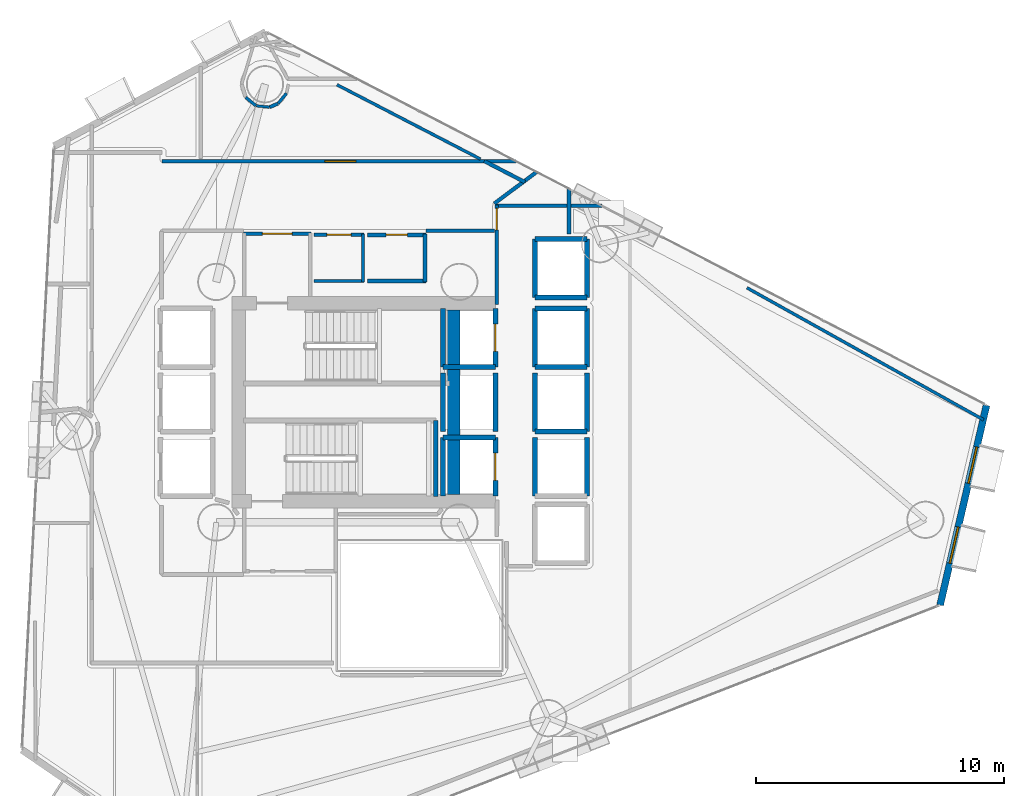
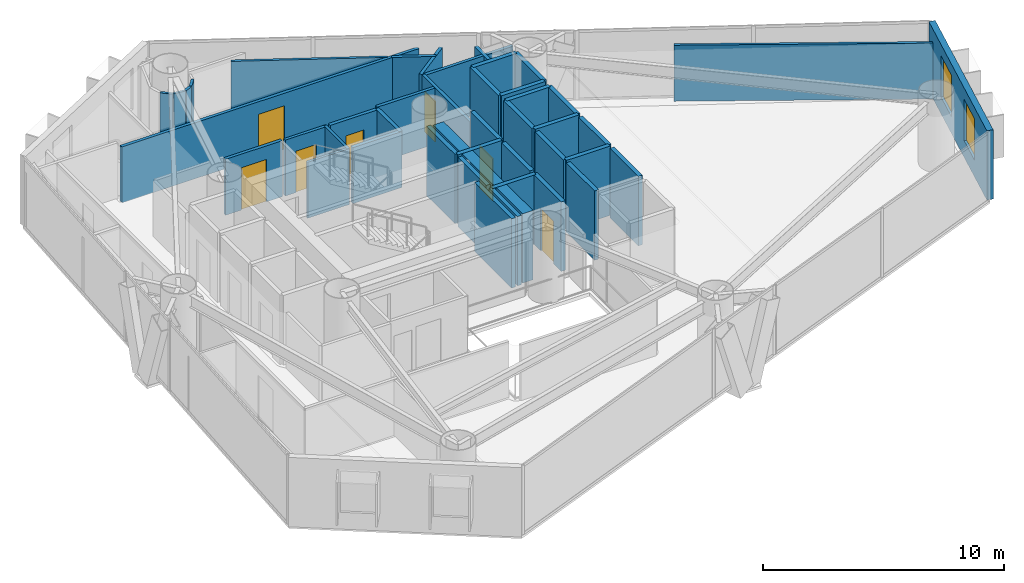
# One storey, part 17 of 21: 44 walls, 7 doors, 2 windows, 9 openings.
"""IFC4 building model written with IfcOpenShell, lengths in metres."""

from ifc_helpers import new_model, si_unit, direction, frame, frame_2d, origin, place, context, subcontext, project, spatial, rectangle, extrude, material, layer, layer_set, type_object, element, fill, save


model = new_model("IFC4")

# Units and contexts
model_context = context("Model", 3, precision=1e-05, world=origin(), true_north=direction((0.0, 1.0)))
body_context = subcontext(model_context, "Body", "Model", "MODEL_VIEW")
ifc_project = project(units=[si_unit("LENGTHUNIT", "METRE"), si_unit("AREAUNIT", "SQUARE_METRE"), si_unit("VOLUMEUNIT", "CUBIC_METRE"), si_unit("PLANEANGLEUNIT", "RADIAN"), si_unit("MASSUNIT", "GRAM", prefix="KILO")], contexts=[model_context])

# Site, building, storey
site_placement = place(None, origin())
site = spatial("IfcSite", under=ifc_project, at=site_placement, CompositionType="ELEMENT")
building_placement = place(site_placement, origin())
building = spatial("IfcBuilding", under=site, at=building_placement, Name="Qianvela Tower", CompositionType="ELEMENT")
storey_placement = place(building_placement, frame((0.0, 0.0, 131.10009765625)))
storey = spatial("IfcBuildingStorey", under=building, at=storey_placement, Name="L33", CompositionType="ELEMENT", Elevation=131.10009765625)

# Wall, openings, windows
ifc_material_1 = material(Name="Terracotta Cladding on Concrete C40", Category="masonry")
ifc_layer_1 = layer(ifc_material_1, 0.280029296875)
ifc_layer_set_1 = layer_set([ifc_layer_1], Name="Terracotta Cladding on Concrete C40")
wall_type_1 = type_object("IfcWallType", Name="TERRACOTTA-WALL-280", PredefinedType="SOLIDWALL", material=ifc_layer_set_1)
wall_1_placement = place(storey_placement, frame((57.78759765625, 20.5166015625, 0.0), z_axis=(0.0, 0.0, 1.0), x_axis=(0.226025211992, 0.974121452153, 0.0)))
wall_1 = element("IfcWall", 1, at=wall_1_placement, inside=storey, type_object=wall_type_1, Name="L33 Terracotta Chamfer Facet Wall 1", PredefinedType="SOLIDWALL", context=body_context, shape_type="SweptSolid", body=[
    extrude(rectangle(XDim=8.27392578125, YDim=0.280029296875, at=frame_2d((4.136962890625, 0.0))), origin(), (0.0, 0.0, 1.0), 3.52001953125),
])
opening_1_placement = place(wall_1_placement, frame((1.732177734375, 0.0, 0.85009765625)))
opening_1 = element("IfcOpeningElement", 2, at=opening_1_placement, cuts=wall_1, Name="Opening W-02", PredefinedType="OPENING", context=body_context, shape_type="SweptSolid", body=[
    extrude(rectangle(XDim=1.5, YDim=2.10009765625, at=frame_2d((0.75, 1.050048828125))), frame((0.0, 0.14990234375, 0.0), z_axis=(0.0, -1.0, 0.0), x_axis=(1.0, 0.0, 0.0)), (0.0, 0.0, 1.0), 0.300048828125),
])
opening_2_placement = place(wall_1_placement, frame((5.041748046875, 0.0, 0.85009765625)))
opening_2 = element("IfcOpeningElement", 3, at=opening_2_placement, cuts=wall_1, Name="Opening W-02", PredefinedType="OPENING", context=body_context, shape_type="SweptSolid", body=[
    extrude(rectangle(XDim=1.5, YDim=2.10009765625, at=frame_2d((0.75, 1.050048828125))), frame((0.0, 0.14990234375, 0.0), z_axis=(0.0, -1.0, 0.0), x_axis=(1.0, 0.0, 0.0)), (0.0, 0.0, 1.0), 0.300048828125),
])
ifc_material_2 = material(Name="Thermally Broken Aluminium and Low-E Glass", Category="aluminium")
window_type = type_object("IfcWindowType", Name="WIN-TC-1500x2100", PartitioningType="DOUBLE_PANEL_VERTICAL", PredefinedType="WINDOW", material=ifc_material_2)
window_1_placement = place(opening_1_placement, origin())
window_1 = element("IfcWindow", 4, at=window_1_placement, inside=storey, type_object=window_type, Name="L33 Chamfer Facet Window 1.1", OverallHeight=2.10009765625, OverallWidth=1.5, PartitioningType="SINGLE_PANEL", PredefinedType="WINDOW", context=body_context, shape_type="SweptSolid", body=[
    extrude(rectangle(XDim=1.5, YDim=2.10009765625, at=frame_2d((0.75, 1.050048828125))), frame((0.0, 0.030029296875, 0.0), z_axis=(0.0, -1.0, 0.0), x_axis=(1.0, 0.0, 0.0)), (0.0, 0.0, 1.0), 0.06005859375),
])
fill(opening_1, window_1)
window_2_placement = place(opening_2_placement, origin())
window_2 = element("IfcWindow", 5, at=window_2_placement, inside=storey, type_object=window_type, Name="L33 Chamfer Facet Window 1.2", OverallHeight=2.10009765625, OverallWidth=1.5, PartitioningType="SINGLE_PANEL", PredefinedType="WINDOW", context=body_context, shape_type="SweptSolid", body=[
    extrude(rectangle(XDim=1.5, YDim=2.10009765625, at=frame_2d((0.75, 1.050048828125))), frame((0.0, 0.030029296875, 0.0), z_axis=(0.0, -1.0, 0.0), x_axis=(1.0, 0.0, 0.0)), (0.0, 0.0, 1.0), 0.06005859375),
])
fill(opening_2, window_2)

# Wall
ifc_material_3 = material(Name="Concrete C60", Category="concrete")
ifc_layer_2 = layer(ifc_material_3, 0.550048828125)
ifc_layer_set_2 = layer_set([ifc_layer_2], Name="Concrete C60")
wall_type_2 = type_object("IfcWallType", Name="WT-CORE-550", PredefinedType="SHEAR", material=ifc_layer_set_2)
wall_2_placement = place(storey_placement, frame((38.179931640625, 24.97998046875, 0.0), z_axis=(0.0, 0.0, 1.0), x_axis=(0.0, 1.0, 0.0)))
element("IfcWall", 6, at=wall_2_placement, inside=storey, type_object=wall_type_2, Name="L33 East Spine Core Shear Wall", PredefinedType="SHEAR", context=body_context, shape_type="SweptSolid", body=[
    extrude(rectangle(XDim=7.43994140625, YDim=0.5, at=frame_2d((3.719970703125, 0.0))), origin(), (0.0, 0.0, 1.0), 3.52001953125),
])

# Wall, opening, door
ifc_material_4 = material(Name="Fire-Rated Acoustic Gypsum Board")
ifc_layer_3 = layer(ifc_material_4, 0.14990234375)
ifc_layer_set_3 = layer_set([ifc_layer_3], Name="Fire-Rated Acoustic Gypsum Board")
wall_type_3 = type_object("IfcWallType", Name="WT-CORR-150", PredefinedType="PARTITIONING", material=ifc_layer_set_3)
wall_3_placement = place(storey_placement, frame((29.699951171875, 35.489013671875, 0.0), z_axis=(0.0, 0.0, 1.0), x_axis=(1.0, 0.0, 0.0)))
wall_3 = element("IfcWall", 7, at=wall_3_placement, inside=storey, type_object=wall_type_3, Name="L33 Partition 3", PredefinedType="PARTITIONING", context=body_context, shape_type="SweptSolid", body=[
    extrude(rectangle(XDim=2.719970703125, YDim=0.14990234375, at=frame_2d((1.35986328125, 0.0))), origin(), (0.0, 0.0, 1.0), 2.83984375),
])
opening_3_placement = place(wall_3_placement, frame((0.760009765625, 0.0, 0.0)))
opening_3 = element("IfcOpeningElement", 8, at=opening_3_placement, cuts=wall_3, Name="Opening D-LB1", PredefinedType="OPENING", context=body_context, shape_type="SweptSolid", body=[
    extrude(rectangle(XDim=1.199951171875, YDim=2.14990234375, at=frame_2d((0.60009765625, 1.074951171875))), frame((0.0, 0.0849609375, 0.0), z_axis=(0.0, -1.0, 0.0), x_axis=(1.0, 0.0, 0.0)), (0.0, 0.0, 1.0), 0.169921875),
])
ifc_material_5 = material(Name="Glazed Fire-Rated Steel Frame", Category="steel")
door_type_1 = type_object("IfcDoorType", Name="DT-LOBBY-FD90", OperationType="NOTDEFINED", PredefinedType="DOOR", material=ifc_material_5)
door_1_placement = place(opening_3_placement, origin())
door_1 = element("IfcDoor", 9, at=door_1_placement, inside=storey, type_object=door_type_1, Name="L33 Door L33 Firefighting Lobby North to L33 Floor Corridor", OperationType="SINGLE_SWING_LEFT", OverallHeight=2.14990234375, OverallWidth=1.199951171875, PredefinedType="DOOR", context=body_context, shape_type="SweptSolid", body=[
    extrude(rectangle(XDim=1.199951171875, YDim=2.14990234375, at=frame_2d((0.60009765625, 1.074951171875))), frame((0.0, 0.02490234375, 0.0), z_axis=(0.0, -1.0, 0.0), x_axis=(1.0, 0.0, 0.0)), (0.0, 0.0, 1.0), 0.050048828125),
])
fill(opening_3, door_1)

wall_4_placement = place(storey_placement, frame((39.910888671875, 32.639892578125, 0.0), z_axis=(0.0, 0.0, 1.0), x_axis=(0.0, 1.0, 0.0)))
wall_4 = element("IfcWall", 10, at=wall_4_placement, inside=storey, type_object=wall_type_3, Name="L33 Partition 10", PredefinedType="PARTITIONING", context=body_context, shape_type="SweptSolid", body=[
    extrude(rectangle(XDim=4.010009765625, YDim=0.14990234375, at=frame_2d((2.0048828125, 0.0))), origin(), (0.0, 0.0, 1.0), 2.83984375),
])
opening_4_placement = place(wall_4_placement, frame((3.010009765625, 0.0, 0.0)))
opening_4 = element("IfcOpeningElement", 11, at=opening_4_placement, cuts=wall_4, Name="Opening D-LB2", PredefinedType="OPENING", context=body_context, shape_type="SweptSolid", body=[
    extrude(rectangle(XDim=0.860107421875, YDim=2.050048828125, at=frame_2d((0.43017578125, 1.02490234375))), frame((0.0, 0.0849609375, 0.0), z_axis=(0.0, -1.0, 0.0), x_axis=(1.0, 0.0, 0.0)), (0.0, 0.0, 1.0), 0.169921875),
])
ifc_material_6 = material(Name="Insulated Steel Fire Door Q355B", Category="steel")
door_type_2 = type_object("IfcDoorType", Name="DT-LOBBY-FD90-860", OperationType="NOTDEFINED", PredefinedType="DOOR", material=ifc_material_6)
door_2_placement = place(opening_4_placement, origin())
door_2 = element("IfcDoor", 12, at=door_2_placement, inside=storey, type_object=door_type_2, Name="L33 Door L33 Lift Lobby to L33 Floor Corridor", OperationType="SINGLE_SWING_LEFT", OverallHeight=2.050048828125, OverallWidth=0.860107421875, PredefinedType="DOOR", context=body_context, shape_type="SweptSolid", body=[
    extrude(rectangle(XDim=0.860107421875, YDim=2.050048828125, at=frame_2d((0.43017578125, 1.02490234375))), frame((0.0, 0.02490234375, 0.0), z_axis=(0.0, -1.0, 0.0), x_axis=(1.0, 0.0, 0.0)), (0.0, 0.0, 1.0), 0.050048828125),
])
fill(opening_4, door_2)

# Walls
wall_5_placement = place(storey_placement, frame((39.8798828125, 36.618896484375, 0.0), z_axis=(0.0, 0.0, 1.0), x_axis=(1.0, 0.0, 0.0)))
element("IfcWall", 13, at=wall_5_placement, inside=storey, type_object=wall_type_3, Name="L33 Partition 11", PredefinedType="PARTITIONING", context=body_context, shape_type="SweptSolid", body=[
    extrude(rectangle(XDim=4.277587890625, YDim=0.14990234375, at=frame_2d((2.138671875, 0.0))), origin(), (0.0, 0.0, 1.0), 2.83984375),
])
wall_6_placement = place(storey_placement, frame((42.819091796875, 37.322265625, 0.0), z_axis=(0.0, 0.0, 1.0), x_axis=(0.0, -1.0, 0.0)))
element("IfcWall", 14, at=wall_6_placement, inside=storey, type_object=wall_type_3, Name="L33 Partition 12", PredefinedType="PARTITIONING", context=body_context, shape_type="SweptSolid", body=[
    extrude(rectangle(XDim=1.84228515625, YDim=0.14990234375, at=frame_2d((0.921142578125, 0.0))), origin(), (0.0, 0.0, 1.0), 2.83984375),
])

# Wall, opening, door
wall_7_placement = place(storey_placement, frame((26.419921875, 38.4189453125, 0.0), z_axis=(0.0, 0.0, 1.0), x_axis=(1.0, 0.0, 0.0)))
wall_7 = element("IfcWall", 15, at=wall_7_placement, inside=storey, type_object=wall_type_3, Name="L33 Partition 42", PredefinedType="PARTITIONING", context=body_context, shape_type="SweptSolid", body=[
    extrude(rectangle(XDim=14.263916015625, YDim=0.14990234375, at=frame_2d((7.1318359375, 0.0))), origin(), (0.0, 0.0, 1.0), 2.83984375),
])
opening_5_placement = place(wall_7_placement, frame((6.55859375, 0.0, 0.0)))
opening_5 = element("IfcOpeningElement", 16, at=opening_5_placement, cuts=wall_7, Name="Opening D-LG1", PredefinedType="OPENING", context=body_context, shape_type="SweptSolid", body=[
    extrude(rectangle(XDim=1.25, YDim=2.199951171875, at=frame_2d((0.625, 1.10009765625))), frame((0.0, 0.0849609375, 0.0), z_axis=(0.0, -1.0, 0.0), x_axis=(1.0, 0.0, 0.0)), (0.0, 0.0, 1.0), 0.169921875),
])
ifc_material_7 = material(Name="Anodised Aluminium Acoustic Glass Door", Category="aluminium")
door_type_3 = type_object("IfcDoorType", Name="DT-LOUNGE-1250", OperationType="NOTDEFINED", PredefinedType="DOOR", material=ifc_material_7)
door_3_placement = place(opening_5_placement, origin())
door_3 = element("IfcDoor", 17, at=door_3_placement, inside=storey, type_object=door_type_3, Name="L33 Door Social Sitting Lounge L33-03 to L33 Floor Corridor", OperationType="SINGLE_SWING_LEFT", OverallHeight=2.199951171875, OverallWidth=1.25, PredefinedType="DOOR", context=body_context, shape_type="SweptSolid", body=[
    extrude(rectangle(XDim=1.25, YDim=2.199951171875, at=frame_2d((0.625, 1.10009765625))), frame((0.0, 0.02490234375, 0.0), z_axis=(0.0, -1.0, 0.0), x_axis=(1.0, 0.0, 0.0)), (0.0, 0.0, 1.0), 0.050048828125),
])
fill(opening_5, door_3)

# Walls
wall_8_placement = place(storey_placement, frame((39.4052734375, 38.422607421875, 0.0), z_axis=(0.0, 0.0, 1.0), x_axis=(0.887824590753, -0.460182024915, 0.0)))
element("IfcWall", 18, at=wall_8_placement, inside=storey, type_object=wall_type_3, Name="L33 Partition 43", PredefinedType="PARTITIONING", context=body_context, shape_type="SweptSolid", body=[
    extrude(rectangle(XDim=1.845703125, YDim=0.14990234375, at=frame_2d((0.9228515625, 0.0))), origin(), (0.0, 0.0, 1.0), 2.83984375),
])
wall_9_placement = place(storey_placement, frame((41.529296875, 37.99072265625, 0.0), z_axis=(0.0, 0.0, 1.0), x_axis=(-0.801813304709, -0.597574618262, 0.0)))
element("IfcWall", 19, at=wall_9_placement, inside=storey, type_object=wall_type_3, Name="L33 Partition 44", PredefinedType="PARTITIONING", context=body_context, shape_type="SweptSolid", body=[
    extrude(rectangle(XDim=2.14453125, YDim=0.14990234375, at=frame_2d((1.072265625, 0.0))), origin(), (0.0, 0.0, 1.0), 2.83984375),
])
wall_10_placement = place(storey_placement, frame((39.818115234375, 35.611083984375, 0.0), z_axis=(0.0, 0.0, 1.0), x_axis=(-1.0, 0.0, 0.0)))
element("IfcWall", 20, at=wall_10_placement, inside=storey, type_object=wall_type_3, Name="L33 Partition 46 seg 1", PredefinedType="PARTITIONING", context=body_context, shape_type="SweptSolid", body=[
    extrude(rectangle(XDim=2.76806640625, YDim=0.14990234375, at=frame_2d((1.384033203125, 0.0))), origin(), (0.0, 0.0, 1.0), 2.83984375),
])
ifc_material_8 = material(Name="Lightweight Gypsum Room Partition")
ifc_layer_4 = layer(ifc_material_8, 0.10498046875)
ifc_layer_set_4 = layer_set([ifc_layer_4], Name="Lightweight Gypsum Room Partition")
wall_type_4 = type_object("IfcWallType", Name="WT-PART-105", PredefinedType="PARTITIONING", material=ifc_layer_set_4)
wall_11_placement = place(storey_placement, frame((30.212646484375, 40.6494140625, 0.0), z_axis=(0.0, 0.0, 1.0), x_axis=(0.995191506225, -0.09794828195, 0.0)))
element("IfcWall", 21, at=wall_11_placement, inside=storey, type_object=wall_type_4, Name="L33 Partition 88", PredefinedType="PARTITIONING", context=body_context, shape_type="SweptSolid", body=[
    extrude(rectangle(XDim=0.5283203125, YDim=0.10498046875, at=frame_2d((0.26416015625, 0.0))), origin(), (0.0, 0.0, 1.0), 2.83984375),
])
ifc_material_9 = material(Name="Insulated Gypsum Stud Partition")
ifc_layer_5 = layer(ifc_material_9, 0.1201171875)
ifc_layer_set_5 = layer_set([ifc_layer_5], Name="Insulated Gypsum Stud Partition")
wall_type_5 = type_object("IfcWallType", Name="WT-PART-120", PredefinedType="PARTITIONING", material=ifc_layer_set_5)
wall_12_placement = place(storey_placement, frame((34.550048828125, 33.5810546875, 0.0), z_axis=(0.0, 0.0, 1.0), x_axis=(-1.0, 0.0, 0.0)))
element("IfcWall", 22, at=wall_12_placement, inside=storey, type_object=wall_type_5, Name="L33 Partition 18", PredefinedType="PARTITIONING", context=body_context, shape_type="SweptSolid", body=[
    extrude(rectangle(XDim=2.0, YDim=0.1201171875, at=frame_2d((1.0, 0.0))), origin(), (0.0, 0.0, 1.0), 2.83984375),
])
wall_13_placement = place(storey_placement, frame((34.51904296875, 35.47998046875, 0.0), z_axis=(0.0, 0.0, 1.0), x_axis=(0.0, -1.0, 0.0)))
element("IfcWall", 23, at=wall_13_placement, inside=storey, type_object=wall_type_5, Name="L33 Partition 21", PredefinedType="PARTITIONING", context=body_context, shape_type="SweptSolid", body=[
    extrude(rectangle(XDim=1.929931640625, YDim=0.1201171875, at=frame_2d((0.96484375, 0.0))), origin(), (0.0, 0.0, 1.0), 2.83984375),
])
wall_14_placement = place(storey_placement, frame((49.997802734375, 33.31201171875, 0.0), z_axis=(0.0, 0.0, 1.0), x_axis=(0.873303372474, -0.487176784777, 0.0)))
element("IfcWall", 24, at=wall_14_placement, inside=storey, type_object=wall_type_5, Name="L33 Partition 72 seg 1", PredefinedType="PARTITIONING", context=body_context, shape_type="SweptSolid", body=[
    extrude(rectangle(XDim=10.927734375, YDim=0.1201171875, at=frame_2d((5.4638671875, 0.0))), origin(), (0.0, 0.0, 1.0), 2.83984375),
])
for number, where, z_axis, x_axis, name in (
    (25, (29.78759765625, 40.991455078125, 0.0), (0.0, 0.0, 1.0), (0.773009460249, -0.634394494275, 0.0), "L33 Partition 87"),
    (26, (31.093505859375, 40.74462890625, 0.0), (0.0, 0.0, 1.0), (0.634394494275, 0.773009460249, 0.0), "L33 Partition 90"),
):
    element("IfcWall", number, at=place(storey_placement, frame(where, z_axis=z_axis, x_axis=x_axis)), inside=storey, type_object=wall_type_5, Name=name, PredefinedType="PARTITIONING", context=body_context, shape_type="SweptSolid", body=[
        extrude(rectangle(XDim=0.5283203125, YDim=0.1201171875, at=frame_2d((0.26416015625, 0.0))), origin(), (0.0, 0.0, 1.0), 2.83984375),
    ])
wall_15_placement = place(storey_placement, frame((33.46728515625, 41.49951171875, 0.0), z_axis=(0.0, 0.0, 1.0), x_axis=(0.887864555566, -0.460104913003, 0.0)))
element("IfcWall", 27, at=wall_15_placement, inside=storey, type_object=wall_type_5, Name="L33 Partition 93", PredefinedType="PARTITIONING", context=body_context, shape_type="SweptSolid", body=[
    extrude(rectangle(XDim=6.513916015625, YDim=0.1201171875, at=frame_2d((3.2568359375, 0.0))), origin(), (0.0, 0.0, 1.0), 2.83984375),
])
ifc_material_10 = material(Name="Sanitary Service Chase Partition")
ifc_layer_6 = layer(ifc_material_10, 0.1650390625)
ifc_layer_set_6 = layer_set([ifc_layer_6], Name="Sanitary Service Chase Partition")
wall_type_6 = type_object("IfcWallType", Name="WT-PLUMB-165", PredefinedType="PLUMBINGWALL", material=ifc_layer_set_6)
wall_16_placement = place(storey_placement, frame((37.050048828125, 33.5810546875, 0.0), z_axis=(0.0, 0.0, 1.0), x_axis=(-1.0, 0.0, 0.0)))
element("IfcWall", 28, at=wall_16_placement, inside=storey, type_object=wall_type_6, Name="L33 Partition 22", PredefinedType="PLUMBINGWALL", context=body_context, shape_type="SweptSolid", body=[
    extrude(rectangle(XDim=2.35009765625, YDim=0.1650390625, at=frame_2d((1.175048828125, 0.0))), origin(), (0.0, 0.0, 1.0), 2.83984375),
])

# Wall, opening, door
wall_17_placement = place(storey_placement, frame((34.699951171875, 35.448974609375, 0.0), z_axis=(0.0, 0.0, 1.0), x_axis=(1.0, 0.0, 0.0)))
wall_17 = element("IfcWall", 29, at=wall_17_placement, inside=storey, type_object=wall_type_6, Name="L33 Partition 24", PredefinedType="PLUMBINGWALL", context=body_context, shape_type="SweptSolid", body=[
    extrude(rectangle(XDim=2.35009765625, YDim=0.1650390625, at=frame_2d((1.175048828125, 0.0))), origin(), (0.0, 0.0, 1.0), 2.83984375),
])
opening_6_placement = place(wall_17_placement, frame((0.7451171875, 0.0, 0.0)))
opening_6 = element("IfcOpeningElement", 30, at=opening_6_placement, cuts=wall_17, Name="Opening D-WC1", PredefinedType="OPENING", context=body_context, shape_type="SweptSolid", body=[
    extrude(rectangle(XDim=0.860107421875, YDim=2.050048828125, at=frame_2d((0.43017578125, 1.02490234375))), frame((0.0, 0.092529296875, 0.0), z_axis=(0.0, -1.0, 0.0), x_axis=(1.0, 0.0, 0.0)), (0.0, 0.0, 1.0), 0.18505859375),
])
ifc_material_11 = material(Name="Moisture-Sealed Acoustic Timber Door", Category="wood")
door_type_4 = type_object("IfcDoorType", Name="DT-WC-860", OperationType="NOTDEFINED", PredefinedType="DOOR", material=ifc_material_11)
door_4_placement = place(opening_6_placement, origin())
door_4 = element("IfcDoor", 31, at=door_4_placement, inside=storey, type_object=door_type_4, Name="L33 Door L33 Accessible WC to L33 Floor Corridor", OperationType="SINGLE_SWING_LEFT", OverallHeight=2.050048828125, OverallWidth=0.860107421875, PredefinedType="DOOR", context=body_context, shape_type="SweptSolid", body=[
    extrude(rectangle(XDim=0.860107421875, YDim=2.050048828125, at=frame_2d((0.43017578125, 1.02490234375))), frame((0.0, 0.02490234375, 0.0), z_axis=(0.0, -1.0, 0.0), x_axis=(1.0, 0.0, 0.0)), (0.0, 0.0, 1.0), 0.050048828125),
])
fill(opening_6, door_4)

# Wall
wall_18_placement = place(storey_placement, frame((37.01904296875, 35.47998046875, 0.0), z_axis=(0.0, 0.0, 1.0), x_axis=(0.0, -1.0, 0.0)))
element("IfcWall", 32, at=wall_18_placement, inside=storey, type_object=wall_type_6, Name="L33 Partition 25", PredefinedType="PLUMBINGWALL", context=body_context, shape_type="SweptSolid", body=[
    extrude(rectangle(XDim=1.929931640625, YDim=0.1650390625, at=frame_2d((0.96484375, 0.0))), origin(), (0.0, 0.0, 1.0), 2.83984375),
])

# Wall, opening, door
ifc_material_12 = material(Name="Acoustic Double Gypsum Stud Partition")
ifc_layer_7 = layer(ifc_material_12, 0.139892578125)
ifc_layer_set_7 = layer_set([ifc_layer_7], Name="Acoustic Double Gypsum Stud Partition")
wall_type_7 = type_object("IfcWallType", Name="WT-ROOM-140", PredefinedType="PARTITIONING", material=ifc_layer_set_7)
wall_19_placement = place(storey_placement, frame((32.550048828125, 35.448974609375, 0.0), z_axis=(0.0, 0.0, 1.0), x_axis=(1.0, 0.0, 0.0)))
wall_19 = element("IfcWall", 33, at=wall_19_placement, inside=storey, type_object=wall_type_7, Name="L33 Partition 20", PredefinedType="PARTITIONING", context=body_context, shape_type="SweptSolid", body=[
    extrude(rectangle(XDim=2.0, YDim=0.139892578125, at=frame_2d((1.0, 0.0))), origin(), (0.0, 0.0, 1.0), 2.83984375),
])
opening_7_placement = place(wall_19_placement, frame((0.510009765625, 0.0, 0.0)))
opening_7 = element("IfcOpeningElement", 34, at=opening_7_placement, cuts=wall_19, Name="Opening D-RM1", PredefinedType="OPENING", context=body_context, shape_type="SweptSolid", body=[
    extrude(rectangle(XDim=0.97998046875, YDim=2.10009765625, at=frame_2d((0.489990234375, 1.050048828125))), frame((0.0, 0.079833984375, 0.0), z_axis=(0.0, -1.0, 0.0), x_axis=(1.0, 0.0, 0.0)), (0.0, 0.0, 1.0), 0.159912109375),
])
ifc_material_13 = material(Name="Solid Core Acoustic Timber Fire Door", Category="wood")
door_type_5 = type_object("IfcDoorType", Name="DT-ROOM-FD60", OperationType="NOTDEFINED", PredefinedType="DOOR", material=ifc_material_13)
door_5_placement = place(opening_7_placement, origin())
door_5 = element("IfcDoor", 35, at=door_5_placement, inside=storey, type_object=door_type_5, Name="L33 Door L33 Cleaner Store to L33 Floor Corridor", OperationType="SINGLE_SWING_RIGHT", OverallHeight=2.10009765625, OverallWidth=0.97998046875, PredefinedType="DOOR", context=body_context, shape_type="SweptSolid", body=[
    extrude(rectangle(XDim=0.97998046875, YDim=2.10009765625, at=frame_2d((0.489990234375, 1.050048828125))), frame((0.0, 0.02490234375, 0.0), z_axis=(0.0, -1.0, 0.0), x_axis=(1.0, 0.0, 0.0)), (0.0, 0.0, 1.0), 0.050048828125),
])
fill(opening_7, door_5)

# Walls
wall_20_placement = place(storey_placement, frame((30.75341796875, 40.599853515625, 0.0), z_axis=(0.0, 0.0, 1.0), x_axis=(0.923949766891, 0.382513827544, 0.0)))
element("IfcWall", 36, at=wall_20_placement, inside=storey, type_object=wall_type_7, Name="L33 Partition 89", PredefinedType="PARTITIONING", context=body_context, shape_type="SweptSolid", body=[
    extrude(rectangle(XDim=0.35498046875, YDim=0.139892578125, at=frame_2d((0.177490234375, 0.0))), origin(), (0.0, 0.0, 1.0), 2.83984375),
])
ifc_material_14 = material(Name="Concrete C50", Category="concrete")
ifc_layer_8 = layer(ifc_material_14, 0.199951171875)
ifc_layer_set_8 = layer_set([ifc_layer_8], Name="Concrete C50")
wall_type_8 = type_object("IfcWallType", Name="WT-SHAFT-200", PredefinedType="SOLIDWALL", material=ifc_layer_set_8)
wall_21_placement = place(storey_placement, frame((37.449951171875, 24.89990234375, 0.0), z_axis=(0.0, 0.0, 1.0), x_axis=(0.0, 1.0, 0.0)))
element("IfcWall", 37, at=wall_21_placement, inside=storey, type_object=wall_type_8, Name="L33 Stair ST-2 East Wall", PredefinedType="SOLIDWALL", context=body_context, shape_type="SweptSolid", body=[
    extrude(rectangle(XDim=3.06005859375, YDim=0.199951171875, at=frame_2d((1.530029296875, 0.0))), origin(), (0.0, 0.0, 1.0), 3.52001953125),
])

# Wall, opening, door
wall_22_placement = place(storey_placement, frame((39.85009765625, 30.1201171875, 0.0), z_axis=(0.0, 0.0, 1.0), x_axis=(0.0, 1.0, 0.0)))
wall_22 = element("IfcWall", 38, at=wall_22_placement, inside=storey, type_object=wall_type_8, Name="L33 Lift FL-1 E Shaft Wall", PredefinedType="SOLIDWALL", context=body_context, shape_type="SweptSolid", body=[
    extrude(rectangle(XDim=2.35986328125, YDim=0.199951171875, at=frame_2d((1.179931640625, 0.0))), origin(), (0.0, 0.0, 1.0), 3.52001953125),
])
opening_8_placement = place(wall_22_placement, frame((0.6298828125, 0.0, 0.0)))
opening_8 = element("IfcOpeningElement", 39, at=opening_8_placement, cuts=wall_22, Name="Opening LD-01", PredefinedType="OPENING", context=body_context, shape_type="SweptSolid", body=[
    extrude(rectangle(XDim=1.10009765625, YDim=2.14990234375, at=frame_2d((0.550048828125, 1.074951171875))), frame((0.0, 0.10986328125, 0.0), z_axis=(0.0, -1.0, 0.0), x_axis=(1.0, 0.0, 0.0)), (0.0, 0.0, 1.0), 0.219970703125),
])
ifc_material_15 = material(Name="Brushed Stainless Steel Lift Landing Door", Category="steel")
door_type_6 = type_object("IfcDoorType", Name="DT-LIFT-SLIDE-1100", OperationType="SLIDING_TO_LEFT", PredefinedType="DOOR", material=ifc_material_15)
door_6_placement = place(opening_8_placement, origin())
door_6 = element("IfcDoor", 40, at=door_6_placement, inside=storey, type_object=door_type_6, Name="L33 Lift FL-1 Sliding Landing Door", OperationType="SLIDING_TO_LEFT", OverallHeight=2.14990234375, OverallWidth=1.10009765625, PredefinedType="DOOR", context=body_context, shape_type="SweptSolid", body=[
    extrude(rectangle(XDim=1.10009765625, YDim=2.14990234375, at=frame_2d((0.550048828125, 1.074951171875))), frame((0.0, 0.02490234375, 0.0), z_axis=(0.0, -1.0, 0.0), x_axis=(1.0, 0.0, 0.0)), (0.0, 0.0, 1.0), 0.050048828125),
])
fill(opening_8, door_6)

# Walls
wall_23_placement = place(storey_placement, frame((37.75, 30.1201171875, 0.0), z_axis=(0.0, 0.0, 1.0), x_axis=(0.0, 1.0, 0.0)))
element("IfcWall", 41, at=wall_23_placement, inside=storey, type_object=wall_type_8, Name="L33 Lift FL-1 W Shaft Wall", PredefinedType="SOLIDWALL", context=body_context, shape_type="SweptSolid", body=[
    extrude(rectangle(XDim=2.35986328125, YDim=0.199951171875, at=frame_2d((1.179931640625, 0.0))), origin(), (0.0, 0.0, 1.0), 3.52001953125),
])
wall_24_placement = place(storey_placement, frame((37.75, 30.1201171875, 0.0), z_axis=(0.0, 0.0, 1.0), x_axis=(1.0, 0.0, 0.0)))
element("IfcWall", 42, at=wall_24_placement, inside=storey, type_object=wall_type_8, Name="L33 Lift FL-1 S Shaft Wall", PredefinedType="SOLIDWALL", context=body_context, shape_type="SweptSolid", body=[
    extrude(rectangle(XDim=2.10009765625, YDim=0.199951171875, at=frame_2d((1.050048828125, 0.0))), origin(), (0.0, 0.0, 1.0), 3.52001953125),
])

# Wall, opening, door
wall_25_placement = place(storey_placement, frame((39.85009765625, 24.919921875, 0.0), z_axis=(0.0, 0.0, 1.0), x_axis=(0.0, 1.0, 0.0)))
wall_25 = element("IfcWall", 43, at=wall_25_placement, inside=storey, type_object=wall_type_8, Name="L33 Lift FL-2 E Shaft Wall", PredefinedType="SOLIDWALL", context=body_context, shape_type="SweptSolid", body=[
    extrude(rectangle(XDim=2.360107421875, YDim=0.199951171875, at=frame_2d((1.18017578125, 0.0))), origin(), (0.0, 0.0, 1.0), 3.52001953125),
])
opening_9_placement = place(wall_25_placement, frame((0.6298828125, 0.0, 0.0)))
opening_9 = element("IfcOpeningElement", 44, at=opening_9_placement, cuts=wall_25, Name="Opening LD-01", PredefinedType="OPENING", context=body_context, shape_type="SweptSolid", body=[
    extrude(rectangle(XDim=1.10009765625, YDim=2.14990234375, at=frame_2d((0.550048828125, 1.074951171875))), frame((0.0, 0.10986328125, 0.0), z_axis=(0.0, -1.0, 0.0), x_axis=(1.0, 0.0, 0.0)), (0.0, 0.0, 1.0), 0.219970703125),
])
door_7_placement = place(opening_9_placement, origin())
door_7 = element("IfcDoor", 45, at=door_7_placement, inside=storey, type_object=door_type_6, Name="L33 Lift FL-2 Sliding Landing Door", OperationType="SLIDING_TO_LEFT", OverallHeight=2.14990234375, OverallWidth=1.10009765625, PredefinedType="DOOR", context=body_context, shape_type="SweptSolid", body=[
    extrude(rectangle(XDim=1.10009765625, YDim=2.14990234375, at=frame_2d((0.550048828125, 1.074951171875))), frame((0.0, 0.02490234375, 0.0), z_axis=(0.0, -1.0, 0.0), x_axis=(1.0, 0.0, 0.0)), (0.0, 0.0, 1.0), 0.050048828125),
])
fill(opening_9, door_7)

# Walls
wall_26_placement = place(storey_placement, frame((37.75, 24.919921875, 0.0), z_axis=(0.0, 0.0, 1.0), x_axis=(0.0, 1.0, 0.0)))
element("IfcWall", 46, at=wall_26_placement, inside=storey, type_object=wall_type_8, Name="L33 Lift FL-2 W Shaft Wall", PredefinedType="SOLIDWALL", context=body_context, shape_type="SweptSolid", body=[
    extrude(rectangle(XDim=2.360107421875, YDim=0.199951171875, at=frame_2d((1.18017578125, 0.0))), origin(), (0.0, 0.0, 1.0), 3.52001953125),
])
wall_27_placement = place(storey_placement, frame((37.75, 27.280029296875, 0.0), z_axis=(0.0, 0.0, 1.0), x_axis=(1.0, 0.0, 0.0)))
element("IfcWall", 47, at=wall_27_placement, inside=storey, type_object=wall_type_8, Name="L33 Lift FL-2 N Shaft Wall", PredefinedType="SOLIDWALL", context=body_context, shape_type="SweptSolid", body=[
    extrude(rectangle(XDim=2.10009765625, YDim=0.199951171875, at=frame_2d((1.050048828125, 0.0))), origin(), (0.0, 0.0, 1.0), 3.52001953125),
])
for number, where, z_axis, x_axis, name in (
    (48, (43.550048828125, 30.1201171875, 0.0), (0.0, 0.0, 1.0), (0.0, 1.0, 0.0), "L33 Lift PL-M1 E Shaft Wall"),
    (49, (41.449951171875, 30.1201171875, 0.0), (0.0, 0.0, 1.0), (0.0, 1.0, 0.0), "L33 Lift PL-M1 W Shaft Wall"),
):
    element("IfcWall", number, at=place(storey_placement, frame(where, z_axis=z_axis, x_axis=x_axis)), inside=storey, type_object=wall_type_8, Name=name, PredefinedType="SOLIDWALL", context=body_context, shape_type="SweptSolid", body=[
        extrude(rectangle(XDim=2.35986328125, YDim=0.199951171875, at=frame_2d((1.179931640625, 0.0))), origin(), (0.0, 0.0, 1.0), 3.52001953125),
    ])
for number, where, z_axis, x_axis, name in (
    (50, (41.449951171875, 32.47998046875, 0.0), (0.0, 0.0, 1.0), (1.0, 0.0, 0.0), "L33 Lift PL-M1 N Shaft Wall"),
    (51, (41.449951171875, 30.1201171875, 0.0), (0.0, 0.0, 1.0), (1.0, 0.0, 0.0), "L33 Lift PL-M1 S Shaft Wall"),
):
    element("IfcWall", number, at=place(storey_placement, frame(where, z_axis=z_axis, x_axis=x_axis)), inside=storey, type_object=wall_type_8, Name=name, PredefinedType="SOLIDWALL", context=body_context, shape_type="SweptSolid", body=[
        extrude(rectangle(XDim=2.10009765625, YDim=0.199951171875, at=frame_2d((1.050048828125, 0.0))), origin(), (0.0, 0.0, 1.0), 3.52001953125),
    ])
for number, where, z_axis, x_axis, name in (
    (52, (43.550048828125, 27.52001953125, 0.0), (0.0, 0.0, 1.0), (0.0, 1.0, 0.0), "L33 Lift PL-M2 E Shaft Wall"),
    (53, (41.449951171875, 27.52001953125, 0.0), (0.0, 0.0, 1.0), (0.0, 1.0, 0.0), "L33 Lift PL-M2 W Shaft Wall"),
):
    element("IfcWall", number, at=place(storey_placement, frame(where, z_axis=z_axis, x_axis=x_axis)), inside=storey, type_object=wall_type_8, Name=name, PredefinedType="SOLIDWALL", context=body_context, shape_type="SweptSolid", body=[
        extrude(rectangle(XDim=2.35986328125, YDim=0.199951171875, at=frame_2d((1.179931640625, 0.0))), origin(), (0.0, 0.0, 1.0), 3.52001953125),
    ])
wall_28_placement = place(storey_placement, frame((41.449951171875, 27.52001953125, 0.0), z_axis=(0.0, 0.0, 1.0), x_axis=(1.0, 0.0, 0.0)))
element("IfcWall", 54, at=wall_28_placement, inside=storey, type_object=wall_type_8, Name="L33 Lift PL-M2 S Shaft Wall", PredefinedType="SOLIDWALL", context=body_context, shape_type="SweptSolid", body=[
    extrude(rectangle(XDim=2.10009765625, YDim=0.199951171875, at=frame_2d((1.050048828125, 0.0))), origin(), (0.0, 0.0, 1.0), 3.52001953125),
])
for number, where, z_axis, x_axis, name in (
    (55, (43.550048828125, 24.919921875, 0.0), (0.0, 0.0, 1.0), (0.0, 1.0, 0.0), "L33 Lift PL-M3 E Shaft Wall"),
    (56, (41.449951171875, 24.919921875, 0.0), (0.0, 0.0, 1.0), (0.0, 1.0, 0.0), "L33 Lift PL-M3 W Shaft Wall"),
):
    element("IfcWall", number, at=place(storey_placement, frame(where, z_axis=z_axis, x_axis=x_axis)), inside=storey, type_object=wall_type_8, Name=name, PredefinedType="SOLIDWALL", context=body_context, shape_type="SweptSolid", body=[
        extrude(rectangle(XDim=2.360107421875, YDim=0.199951171875, at=frame_2d((1.18017578125, 0.0))), origin(), (0.0, 0.0, 1.0), 3.52001953125),
    ])
for number, where, z_axis, x_axis, name in (
    (57, (39.85009765625, 27.52001953125, 0.0), (0.0, 0.0, 1.0), (0.0, 1.0, 0.0), "L33 Lift PL-H1 E Shaft Wall"),
    (58, (37.75, 27.52001953125, 0.0), (0.0, 0.0, 1.0), (0.0, 1.0, 0.0), "L33 Lift PL-H1 W Shaft Wall"),
):
    element("IfcWall", number, at=place(storey_placement, frame(where, z_axis=z_axis, x_axis=x_axis)), inside=storey, type_object=wall_type_8, Name=name, PredefinedType="SOLIDWALL", context=body_context, shape_type="SweptSolid", body=[
        extrude(rectangle(XDim=2.35986328125, YDim=0.199951171875, at=frame_2d((1.179931640625, 0.0))), origin(), (0.0, 0.0, 1.0), 3.52001953125),
    ])
for number, where, z_axis, x_axis, name in (
    (59, (43.550048828125, 32.919921875, 0.0), (0.0, 0.0, 1.0), (0.0, 1.0, 0.0), "L33 Lift PL-H3 E Shaft Wall"),
    (60, (41.449951171875, 32.919921875, 0.0), (0.0, 0.0, 1.0), (0.0, 1.0, 0.0), "L33 Lift PL-H3 W Shaft Wall"),
):
    element("IfcWall", number, at=place(storey_placement, frame(where, z_axis=z_axis, x_axis=x_axis)), inside=storey, type_object=wall_type_8, Name=name, PredefinedType="SOLIDWALL", context=body_context, shape_type="SweptSolid", body=[
        extrude(rectangle(XDim=2.360107421875, YDim=0.199951171875, at=frame_2d((1.18017578125, 0.0))), origin(), (0.0, 0.0, 1.0), 3.52001953125),
    ])
for number, where, z_axis, x_axis, name in (
    (61, (41.449951171875, 35.280029296875, 0.0), (0.0, 0.0, 1.0), (1.0, 0.0, 0.0), "L33 Lift PL-H3 N Shaft Wall"),
    (62, (41.449951171875, 32.919921875, 0.0), (0.0, 0.0, 1.0), (1.0, 0.0, 0.0), "L33 Lift PL-H3 S Shaft Wall"),
):
    element("IfcWall", number, at=place(storey_placement, frame(where, z_axis=z_axis, x_axis=x_axis)), inside=storey, type_object=wall_type_8, Name=name, PredefinedType="SOLIDWALL", context=body_context, shape_type="SweptSolid", body=[
        extrude(rectangle(XDim=2.10009765625, YDim=0.199951171875, at=frame_2d((1.050048828125, 0.0))), origin(), (0.0, 0.0, 1.0), 3.52001953125),
    ])

save(model, "model.ifc")
